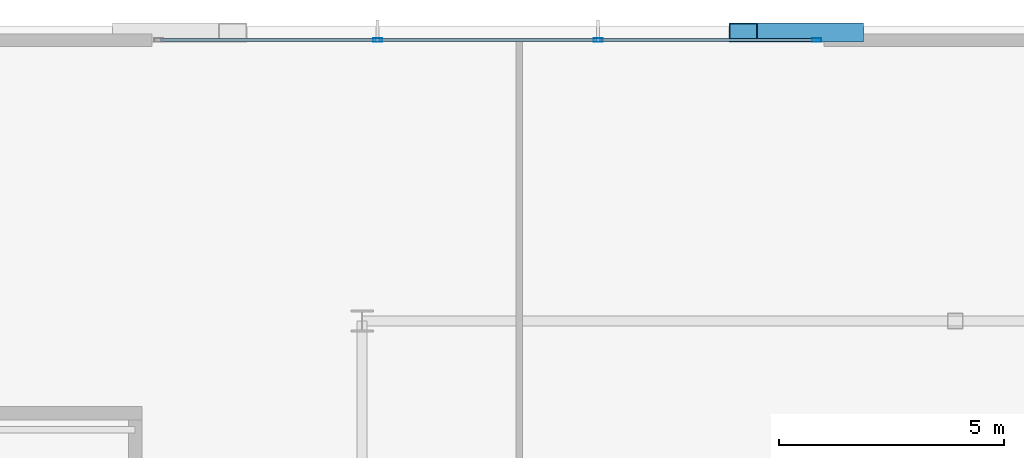
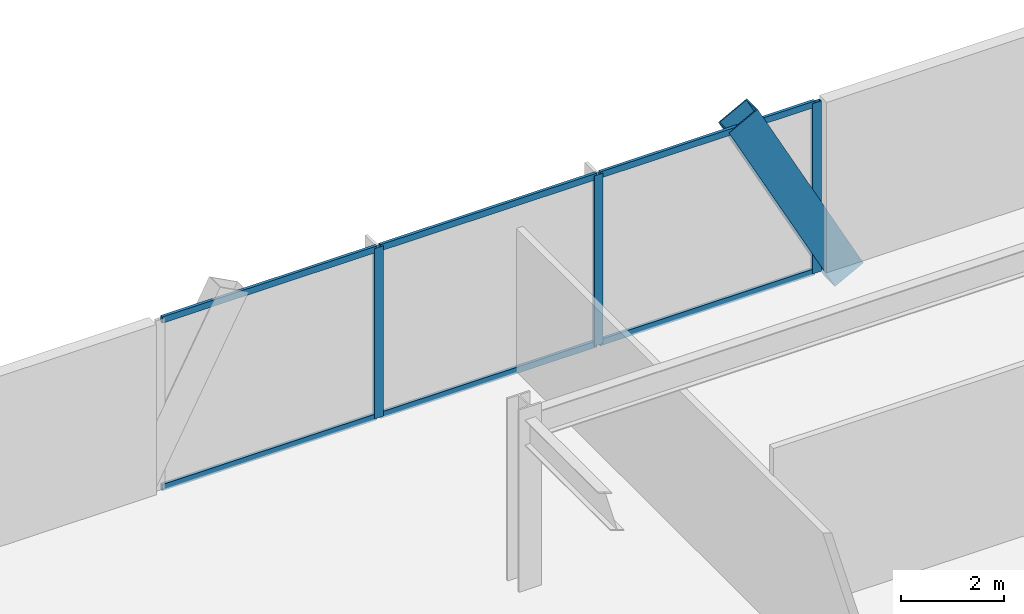
# One storey, part 26 of 42: 10 members, 1 element without a shape of its own.
"""IFC4 building model written with IfcOpenShell, lengths in metres."""

from ifc_helpers import new_model, si_unit, direction, frame, origin, origin_2d, place, context, subcontext, project, spatial, hollow_rectangle, extrude, material, layer, layer_set, material_profile, profile_set, type_object, element, aggregate, save


model = new_model("IFC4")

# Units and contexts
model_context = context("Model", 3, precision=1e-05, world=origin(), true_north=direction((0.0, 1.0)))
body_context = subcontext(model_context, "Body", "Model", "MODEL_VIEW")
ifc_project = project(units=[si_unit("LENGTHUNIT", "METRE"), si_unit("AREAUNIT", "SQUARE_METRE"), si_unit("VOLUMEUNIT", "CUBIC_METRE"), si_unit("PLANEANGLEUNIT", "RADIAN"), si_unit("MASSUNIT", "GRAM", prefix="KILO")], contexts=[model_context])

# Site, building, storey
site_placement = place(None, origin())
site = spatial("IfcSite", under=ifc_project, at=site_placement, CompositionType="ELEMENT")
building_placement = place(site_placement, origin())
building = spatial("IfcBuilding", under=site, at=building_placement, Name="Orvanel Arch Residences", CompositionType="ELEMENT")
storey_placement = place(building_placement, frame((0.0, 0.0, 5.5)))
storey = spatial("IfcBuildingStorey", under=building, at=storey_placement, Name="L01", CompositionType="ELEMENT", Elevation=5.5)

# Member
ifc_material_1 = material(Name="Structural steel AS/NZS 3678 Grade 350", Category="steel")
ifc_material_profile_1 = material_profile(ifc_material_1, hollow_rectangle(XDim=0.419921875, YDim=0.719970703125, WallThickness=0.02490234375, at=origin_2d()), Name="RHS720x420x25")
ifc_profile_set_1 = profile_set([ifc_material_profile_1], Name="Structural steel AS/NZS 3678 Grade 350")
member_type_1 = type_object("IfcMemberType", Name="BR-720RHS-EXT", PredefinedType="BRACE", material=ifc_profile_set_1)
member_1_placement = place(storey_placement, frame((30.64111328125, 54.419921875, -0.300048828125), z_axis=(-0.468698055994, 0.0, 0.883358439314), x_axis=(0.0, -1.0, 0.0)))
element("IfcMember", 1, at=member_1_placement, inside=storey, type_object=member_type_1, Name="L01 Podium Multi-Storey V-Strut Pair N2 Leg 1", PredefinedType="BRACE", context=body_context, shape_type="SweptSolid", body=[
    extrude(hollow_rectangle(XDim=0.419921875, YDim=0.719970703125, WallThickness=0.02490234375, at=origin_2d()), origin(), (0.0, 0.0, 1.0), 5.03759765625),
])

# Curtain wall, members
ifc_material_2 = material(Name="Bronze-anodised aluminium AA6063-T6", Category="aluminium")
ifc_layer = layer(ifc_material_2, 0.199951171875)
ifc_layer_set = layer_set([ifc_layer], Name="Bronze-anodised aluminium AA6063-T6")
curtain_wall_type = type_object("IfcCurtainWallType", Name="CW1-POD-SYS", PredefinedType="NOTDEFINED", material=ifc_layer_set)
curtain_wall_placement = place(storey_placement, origin())
curtain_wall = element("IfcCurtainWall", 2, at=curtain_wall_placement, inside=storey, type_object=curtain_wall_type, Name="L01 CW1-POD-SYS Unitised Curtain Wall", PredefinedType="NOTDEFINED")
ifc_material_profile_2 = material_profile(ifc_material_2, hollow_rectangle(XDim=0.074951171875, YDim=0.199951171875, WallThickness=0.0048828125, at=origin_2d()), Name="ALU200x75x5")
ifc_profile_set_2 = profile_set([ifc_material_profile_2], Name="Bronze-anodised aluminium AA6063-T6")
member_type_2 = type_object("IfcMemberType", Name="MUL-200x75", PredefinedType="MULLION", material=ifc_profile_set_2)
member_2_placement = place(storey_placement, frame((29.922607421875, 54.25, 0.0), z_axis=(0.0, 0.0, 1.0), x_axis=(0.0, -1.0, 0.0)))
member_2 = element("IfcMember", 3, at=member_2_placement, type_object=member_type_2, Name="CW-S1 mullion 1", PredefinedType="MULLION", context=body_context, shape_type="SweptSolid", body=[
    extrude(hollow_rectangle(XDim=0.074951171875, YDim=0.199951171875, WallThickness=0.0048828125, at=origin_2d()), origin(), (0.0, 0.0, 1.0), 4.02001953125),
])
member_3_placement = place(storey_placement, frame((25.05322265625, 54.25, 0.0), z_axis=(0.0, 0.0, 1.0), x_axis=(0.0, -1.0, 0.0)))
member_3 = element("IfcMember", 4, at=member_3_placement, type_object=member_type_2, Name="CW-S1 mullion 2", PredefinedType="MULLION", context=body_context, shape_type="SweptSolid", body=[
    extrude(hollow_rectangle(XDim=0.074951171875, YDim=0.199951171875, WallThickness=0.0048828125, at=origin_2d()), origin(), (0.0, 0.0, 1.0), 4.02001953125),
])
member_4_placement = place(storey_placement, frame((20.146728515625, 54.25, 0.0), z_axis=(0.0, 0.0, 1.0), x_axis=(0.0, -1.0, 0.0)))
member_4 = element("IfcMember", 5, at=member_4_placement, type_object=member_type_2, Name="CW-S1 mullion 3", PredefinedType="MULLION", context=body_context, shape_type="SweptSolid", body=[
    extrude(hollow_rectangle(XDim=0.074951171875, YDim=0.199951171875, WallThickness=0.0048828125, at=origin_2d()), origin(), (0.0, 0.0, 1.0), 4.02001953125),
])
ifc_material_profile_3 = material_profile(ifc_material_2, hollow_rectangle(XDim=0.06494140625, YDim=0.14990234375, WallThickness=0.00390625, at=origin_2d()), Name="ALU150x65x4")
ifc_profile_set_3 = profile_set([ifc_material_profile_3], Name="Bronze-anodised aluminium AA6063-T6")
member_type_3 = type_object("IfcMemberType", Name="TRN-150x65", PredefinedType="USERDEFINED", material=ifc_profile_set_3)
member_5_placement = place(storey_placement, frame((29.885009765625, 54.25, 0.032470703125), z_axis=(-1.0, 0.0, 0.0), x_axis=(0.0, -1.0, 0.0)))
member_5 = element("IfcMember", 6, at=member_5_placement, type_object=member_type_3, Name="CW-S1 transom 1.1", ObjectType="TRANSOM", PredefinedType="USERDEFINED", context=body_context, shape_type="SweptSolid", body=[
    extrude(hollow_rectangle(XDim=0.06494140625, YDim=0.14990234375, WallThickness=0.00390625, at=origin_2d()), origin(), (0.0, 0.0, 1.0), 4.794189453125),
])
member_6_placement = place(storey_placement, frame((29.885009765625, 54.25, 3.987548828125), z_axis=(-1.0, 0.0, 0.0), x_axis=(0.0, -1.0, 0.0)))
member_6 = element("IfcMember", 7, at=member_6_placement, type_object=member_type_3, Name="CW-S1 transom 1.2", ObjectType="TRANSOM", PredefinedType="USERDEFINED", context=body_context, shape_type="SweptSolid", body=[
    extrude(hollow_rectangle(XDim=0.06494140625, YDim=0.14990234375, WallThickness=0.00390625, at=origin_2d()), origin(), (0.0, 0.0, 1.0), 4.794189453125),
])
member_7_placement = place(storey_placement, frame((25.015869140625, 54.25, 0.032470703125), z_axis=(-1.0, 0.0, 0.0), x_axis=(0.0, -1.0, 0.0)))
member_7 = element("IfcMember", 8, at=member_7_placement, type_object=member_type_3, Name="CW-S1 transom 2.1", ObjectType="TRANSOM", PredefinedType="USERDEFINED", context=body_context, shape_type="SweptSolid", body=[
    extrude(hollow_rectangle(XDim=0.06494140625, YDim=0.14990234375, WallThickness=0.00390625, at=origin_2d()), origin(), (0.0, 0.0, 1.0), 4.831787109375),
])
member_8_placement = place(storey_placement, frame((25.015869140625, 54.25, 3.987548828125), z_axis=(-1.0, 0.0, 0.0), x_axis=(0.0, -1.0, 0.0)))
member_8 = element("IfcMember", 9, at=member_8_placement, type_object=member_type_3, Name="CW-S1 transom 2.2", ObjectType="TRANSOM", PredefinedType="USERDEFINED", context=body_context, shape_type="SweptSolid", body=[
    extrude(hollow_rectangle(XDim=0.06494140625, YDim=0.14990234375, WallThickness=0.00390625, at=origin_2d()), origin(), (0.0, 0.0, 1.0), 4.831787109375),
])
member_9_placement = place(storey_placement, frame((20.109130859375, 54.25, 0.032470703125), z_axis=(-1.0, 0.0, 0.0), x_axis=(0.0, -1.0, 0.0)))
member_9 = element("IfcMember", 10, at=member_9_placement, type_object=member_type_3, Name="CW-S1 transom 3.1", ObjectType="TRANSOM", PredefinedType="USERDEFINED", context=body_context, shape_type="SweptSolid", body=[
    extrude(hollow_rectangle(XDim=0.06494140625, YDim=0.14990234375, WallThickness=0.00390625, at=origin_2d()), origin(), (0.0, 0.0, 1.0), 4.794189453125),
])
member_10_placement = place(storey_placement, frame((20.109130859375, 54.25, 3.987548828125), z_axis=(-1.0, 0.0, 0.0), x_axis=(0.0, -1.0, 0.0)))
member_10 = element("IfcMember", 11, at=member_10_placement, type_object=member_type_3, Name="CW-S1 transom 3.2", ObjectType="TRANSOM", PredefinedType="USERDEFINED", context=body_context, shape_type="SweptSolid", body=[
    extrude(hollow_rectangle(XDim=0.06494140625, YDim=0.14990234375, WallThickness=0.00390625, at=origin_2d()), origin(), (0.0, 0.0, 1.0), 4.794189453125),
])
aggregate(curtain_wall, [member_2, member_3, member_4, member_5, member_6, member_7, member_8, member_9, member_10])

save(model, "model.ifc")
